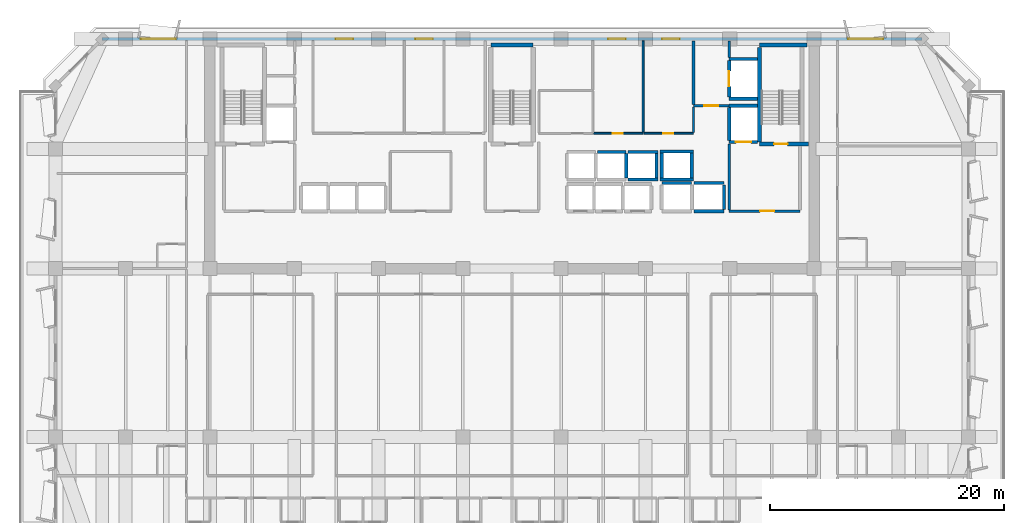
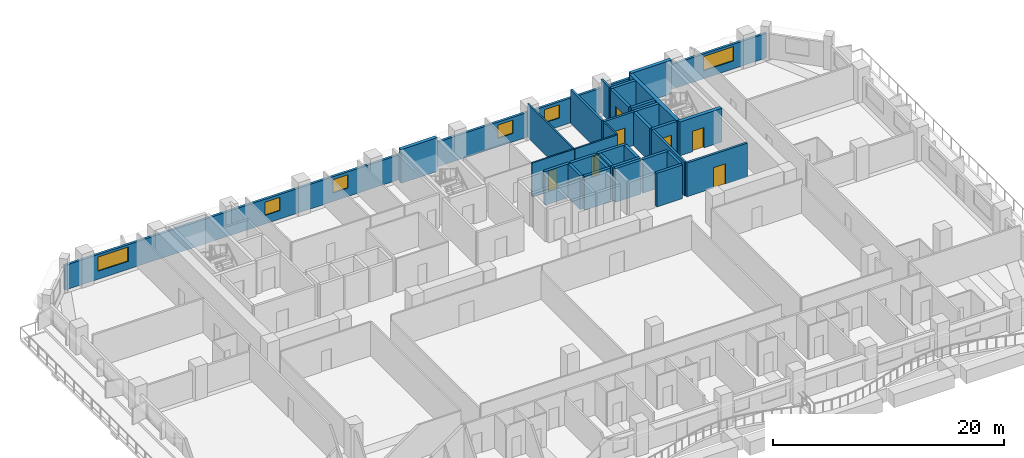
# One storey, part 9 of 16: 33 walls, 7 doors, 6 windows, 13 openings.
"""IFC4 building model written with IfcOpenShell, lengths in metres."""

from ifc_helpers import new_model, si_unit, direction, frame, frame_2d, origin, place, context, subcontext, project, spatial, rectangle, extrude, material, layer, layer_set, type_object, element, fill, save


model = new_model("IFC4")

# Units and contexts
model_context = context("Model", 3, precision=1e-05, world=origin(), true_north=direction((0.0, 1.0)))
body_context = subcontext(model_context, "Body", "Model", "MODEL_VIEW")
ifc_project = project(units=[si_unit("LENGTHUNIT", "METRE"), si_unit("AREAUNIT", "SQUARE_METRE"), si_unit("VOLUMEUNIT", "CUBIC_METRE"), si_unit("PLANEANGLEUNIT", "RADIAN"), si_unit("MASSUNIT", "GRAM", prefix="KILO")], contexts=[model_context])

# Site, building, storey
site_placement = place(None, origin())
site = spatial("IfcSite", under=ifc_project, at=site_placement, CompositionType="ELEMENT")
building_placement = place(site_placement, origin())
building = spatial("IfcBuilding", under=site, at=building_placement, Name="Kaelvorn Grand Hotel", CompositionType="ELEMENT")
storey_placement = place(building_placement, frame((0.0, 0.0, 135.35009765625)))
storey = spatial("IfcBuildingStorey", under=building, at=storey_placement, Name="L32", CompositionType="ELEMENT", Elevation=135.35009765625)

# Wall, openings, windows
ifc_material_1 = material(Name="Concrete C40/50", Category="concrete")
ifc_layer_1 = layer(ifc_material_1, 0.239990234375)
ifc_layer_set_1 = layer_set([ifc_layer_1], Name="Concrete C40/50")
wall_type_1 = type_object("IfcWallType", Name="WL-EXT-240-C40", PredefinedType="SOLIDWALL", material=ifc_layer_set_1)
wall_1_placement = place(storey_placement, frame((77.0, 49.0, 0.0), z_axis=(0.0, 0.0, 1.0), x_axis=(-1.0, 0.0, 0.0)))
wall_1 = element("IfcWall", 1, at=wall_1_placement, inside=storey, type_object=wall_type_1, Name="L32 Exterior Architectural Concrete Wall 05", PredefinedType="SOLIDWALL", context=body_context, shape_type="SweptSolid", body=[
    extrude(rectangle(XDim=70.0, YDim=0.239990234375, at=frame_2d((35.0, 0.0))), origin(), (0.0, 0.0, 1.0), 2.60986328125),
])
opening_1_placement = place(wall_1_placement, frame((63.699951171875, 0.0, 0.85009765625)))
opening_1 = element("IfcOpeningElement", 2, at=opening_1_placement, cuts=wall_1, Name="Opening W5", PredefinedType="OPENING", context=body_context, shape_type="SweptSolid", body=[
    extrude(rectangle(XDim=3.0, YDim=1.5, at=frame_2d((1.5, 0.75))), frame((0.0, 0.1298828125, 0.0), z_axis=(0.0, -1.0, 0.0), x_axis=(1.0, 0.0, 0.0)), (0.0, 0.0, 1.0), 0.260009765625),
])
opening_2_placement = place(wall_1_placement, frame((3.300048828125, 0.0, 0.85009765625)))
opening_2 = element("IfcOpeningElement", 3, at=opening_2_placement, cuts=wall_1, Name="Opening W5", PredefinedType="OPENING", context=body_context, shape_type="SweptSolid", body=[
    extrude(rectangle(XDim=3.0, YDim=1.5, at=frame_2d((1.5, 0.75))), frame((0.0, 0.1298828125, 0.0), z_axis=(0.0, -1.0, 0.0), x_axis=(1.0, 0.0, 0.0)), (0.0, 0.0, 1.0), 0.260009765625),
])
opening_3_placement = place(wall_1_placement, frame((48.56494140625, 0.0, 0.89990234375)))
opening_3 = element("IfcOpeningElement", 4, at=opening_3_placement, cuts=wall_1, Name="Opening W10", PredefinedType="OPENING", context=body_context, shape_type="SweptSolid", body=[
    extrude(rectangle(XDim=1.5, YDim=1.39990234375, at=frame_2d((0.75, 0.699951171875))), frame((0.0, 0.1298828125, 0.0), z_axis=(0.0, -1.0, 0.0), x_axis=(1.0, 0.0, 0.0)), (0.0, 0.0, 1.0), 0.260009765625),
])
opening_4_placement = place(wall_1_placement, frame((41.75, 0.0, 0.89990234375)))
opening_4 = element("IfcOpeningElement", 5, at=opening_4_placement, cuts=wall_1, Name="Opening W10", PredefinedType="OPENING", context=body_context, shape_type="SweptSolid", body=[
    extrude(rectangle(XDim=1.5, YDim=1.39990234375, at=frame_2d((0.75, 0.699951171875))), frame((0.0, 0.1298828125, 0.0), z_axis=(0.0, -1.0, 0.0), x_axis=(1.0, 0.0, 0.0)), (0.0, 0.0, 1.0), 0.260009765625),
])
opening_5_placement = place(wall_1_placement, frame((25.300048828125, 0.0, 0.89990234375)))
opening_5 = element("IfcOpeningElement", 6, at=opening_5_placement, cuts=wall_1, Name="Opening W10", PredefinedType="OPENING", context=body_context, shape_type="SweptSolid", body=[
    extrude(rectangle(XDim=1.5, YDim=1.39990234375, at=frame_2d((0.75, 0.699951171875))), frame((0.0, 0.1298828125, 0.0), z_axis=(0.0, -1.0, 0.0), x_axis=(1.0, 0.0, 0.0)), (0.0, 0.0, 1.0), 0.260009765625),
])
opening_6_placement = place(wall_1_placement, frame((20.68505859375, 0.0, 0.89990234375)))
opening_6 = element("IfcOpeningElement", 7, at=opening_6_placement, cuts=wall_1, Name="Opening W10", PredefinedType="OPENING", context=body_context, shape_type="SweptSolid", body=[
    extrude(rectangle(XDim=1.5, YDim=1.39990234375, at=frame_2d((0.75, 0.699951171875))), frame((0.0, 0.1298828125, 0.0), z_axis=(0.0, -1.0, 0.0), x_axis=(1.0, 0.0, 0.0)), (0.0, 0.0, 1.0), 0.260009765625),
])
ifc_material_2 = material(Name="Laminated Low-E Glass", Category="glass")
window_type_1 = type_object("IfcWindowType", Name="WIN-COR-1500x1400", PartitioningType="SINGLE_PANEL", PredefinedType="WINDOW", material=ifc_material_2)
window_1_placement = place(opening_3_placement, origin())
window_1 = element("IfcWindow", 8, at=window_1_placement, inside=storey, type_object=window_type_1, Name="L32 North Core Clerestory Ribbon Window NC03", OverallHeight=1.39990234375, OverallWidth=1.5, PartitioningType="SINGLE_PANEL", PredefinedType="WINDOW", context=body_context, shape_type="SweptSolid", body=[
    extrude(rectangle(XDim=1.5, YDim=1.39990234375, at=frame_2d((0.75, 0.699951171875))), frame((0.0, 0.030029296875, 0.0), z_axis=(0.0, -1.0, 0.0), x_axis=(1.0, 0.0, 0.0)), (0.0, 0.0, 1.0), 0.06005859375),
])
fill(opening_3, window_1)
window_2_placement = place(opening_4_placement, origin())
window_2 = element("IfcWindow", 9, at=window_2_placement, inside=storey, type_object=window_type_1, Name="L32 North Core Clerestory Ribbon Window NC04", OverallHeight=1.39990234375, OverallWidth=1.5, PartitioningType="SINGLE_PANEL", PredefinedType="WINDOW", context=body_context, shape_type="SweptSolid", body=[
    extrude(rectangle(XDim=1.5, YDim=1.39990234375, at=frame_2d((0.75, 0.699951171875))), frame((0.0, 0.030029296875, 0.0), z_axis=(0.0, -1.0, 0.0), x_axis=(1.0, 0.0, 0.0)), (0.0, 0.0, 1.0), 0.06005859375),
])
fill(opening_4, window_2)
window_3_placement = place(opening_5_placement, origin())
window_3 = element("IfcWindow", 10, at=window_3_placement, inside=storey, type_object=window_type_1, Name="L32 North Core Clerestory Ribbon Window NC05", OverallHeight=1.39990234375, OverallWidth=1.5, PartitioningType="SINGLE_PANEL", PredefinedType="WINDOW", context=body_context, shape_type="SweptSolid", body=[
    extrude(rectangle(XDim=1.5, YDim=1.39990234375, at=frame_2d((0.75, 0.699951171875))), frame((0.0, 0.030029296875, 0.0), z_axis=(0.0, -1.0, 0.0), x_axis=(1.0, 0.0, 0.0)), (0.0, 0.0, 1.0), 0.06005859375),
])
fill(opening_5, window_3)
window_4_placement = place(opening_6_placement, origin())
window_4 = element("IfcWindow", 11, at=window_4_placement, inside=storey, type_object=window_type_1, Name="L32 North Core Clerestory Ribbon Window NC06", OverallHeight=1.39990234375, OverallWidth=1.5, PartitioningType="SINGLE_PANEL", PredefinedType="WINDOW", context=body_context, shape_type="SweptSolid", body=[
    extrude(rectangle(XDim=1.5, YDim=1.39990234375, at=frame_2d((0.75, 0.699951171875))), frame((0.0, 0.030029296875, 0.0), z_axis=(0.0, -1.0, 0.0), x_axis=(1.0, 0.0, 0.0)), (0.0, 0.0, 1.0), 0.06005859375),
])
fill(opening_6, window_4)
window_type_2 = type_object("IfcWindowType", Name="WIN-NTH-3000x1500", PartitioningType="SINGLE_PANEL", PredefinedType="WINDOW", material=ifc_material_2)
window_5_placement = place(opening_1_placement, origin())
window_5 = element("IfcWindow", 12, at=window_5_placement, inside=storey, type_object=window_type_2, Name="L32 North Wing Ribbon Window NW01", OverallHeight=1.5, OverallWidth=3.0, PartitioningType="SINGLE_PANEL", PredefinedType="WINDOW", context=body_context, shape_type="SweptSolid", body=[
    extrude(rectangle(XDim=3.0, YDim=1.5, at=frame_2d((1.5, 0.75))), frame((0.0, 0.030029296875, 0.0), z_axis=(0.0, -1.0, 0.0), x_axis=(1.0, 0.0, 0.0)), (0.0, 0.0, 1.0), 0.06005859375),
])
fill(opening_1, window_5)
window_6_placement = place(opening_2_placement, origin())
window_6 = element("IfcWindow", 13, at=window_6_placement, inside=storey, type_object=window_type_2, Name="L32 North Wing Ribbon Window NW02", OverallHeight=1.5, OverallWidth=3.0, PartitioningType="SINGLE_PANEL", PredefinedType="WINDOW", context=body_context, shape_type="SweptSolid", body=[
    extrude(rectangle(XDim=3.0, YDim=1.5, at=frame_2d((1.5, 0.75))), frame((0.0, 0.030029296875, 0.0), z_axis=(0.0, -1.0, 0.0), x_axis=(1.0, 0.0, 0.0)), (0.0, 0.0, 1.0), 0.06005859375),
])
fill(opening_2, window_6)

# Wall, opening, door
ifc_material_3 = material(Name="Acoustic Gypsum & Stud Partition")
ifc_layer_2 = layer(ifc_material_3, 0.14990234375)
ifc_layer_set_2 = layer_set([ifc_layer_2], Name="Acoustic Gypsum & Stud Partition")
wall_type_2 = type_object("IfcWallType", Name="WL-PART-150-EI60", PredefinedType="PARTITIONING", material=ifc_layer_set_2)
wall_2_placement = place(storey_placement, frame((48.967529296875, 40.949951171875, 0.0), z_axis=(0.0, 0.0, 1.0), x_axis=(1.0, 0.0, 0.0)))
wall_2 = element("IfcWall", 14, at=wall_2_placement, inside=storey, type_object=wall_type_2, Name="L32 Minibar & Glassware Store S Partition", PredefinedType="PARTITIONING", context=body_context, shape_type="SweptSolid", body=[
    extrude(rectangle(XDim=4.232421875, YDim=0.14990234375, at=frame_2d((2.1162109375, 0.0))), origin(), (0.0, 0.0, 1.0), 3.559814453125),
])
opening_7_placement = place(wall_2_placement, frame((1.657470703125, 0.0, 0.0)))
opening_7 = element("IfcOpeningElement", 15, at=opening_7_placement, cuts=wall_2, Name="Opening DI7", PredefinedType="OPENING", context=body_context, shape_type="SweptSolid", body=[
    extrude(rectangle(XDim=0.85009765625, YDim=2.10009765625, at=frame_2d((0.425048828125, 1.050048828125))), frame((0.0, 0.0849609375, 0.0), z_axis=(0.0, -1.0, 0.0), x_axis=(1.0, 0.0, 0.0)), (0.0, 0.0, 1.0), 0.169921875),
])
ifc_material_4 = material(Name="Powder-Coated Steel Leaf", Category="steel")
door_type_1 = type_object("IfcDoorType", Name="DR-INT-RISER-850x2100", OperationType="NOTDEFINED", PredefinedType="DOOR", material=ifc_material_4)
door_1_placement = place(opening_7_placement, origin())
door_1 = element("IfcDoor", 16, at=door_1_placement, inside=storey, type_object=door_type_1, Name="L32 Minibar & Glassware Store Door", OperationType="SINGLE_SWING_LEFT", OverallHeight=2.10009765625, OverallWidth=0.85009765625, PredefinedType="DOOR", context=body_context, shape_type="SweptSolid", body=[
    extrude(rectangle(XDim=0.85009765625, YDim=2.10009765625, at=frame_2d((0.425048828125, 1.050048828125))), frame((0.0, 0.02490234375, 0.0), z_axis=(0.0, -1.0, 0.0), x_axis=(1.0, 0.0, 0.0)), (0.0, 0.0, 1.0), 0.050048828125),
])
fill(opening_7, door_1)

# Wall
wall_3_placement = place(storey_placement, frame((53.199951171875, 41.030029296875, 0.0), z_axis=(0.0, 0.0, 1.0), x_axis=(0.0, 1.0, 0.0)))
element("IfcWall", 17, at=wall_3_placement, inside=storey, type_object=wall_type_2, Name="L32 Minibar & Glassware Store E Partition", PredefinedType="PARTITIONING", context=body_context, shape_type="SweptSolid", body=[
    extrude(rectangle(XDim=7.820068359375, YDim=0.14990234375, at=frame_2d((3.91015625, 0.0))), origin(), (0.0, 0.0, 1.0), 3.559814453125),
])

# Wall, opening, door
wall_4_placement = place(storey_placement, frame((53.280029296875, 40.949951171875, 0.0), z_axis=(0.0, 0.0, 1.0), x_axis=(1.0, 0.0, 0.0)))
wall_4 = element("IfcWall", 18, at=wall_4_placement, inside=storey, type_object=wall_type_2, Name="L32 Floor IT & Comms Room S Partition", PredefinedType="PARTITIONING", context=body_context, shape_type="SweptSolid", body=[
    extrude(rectangle(XDim=4.219970703125, YDim=0.14990234375, at=frame_2d((2.10986328125, 0.0))), origin(), (0.0, 0.0, 1.0), 3.559814453125),
])
opening_8_placement = place(wall_4_placement, frame((1.64501953125, 0.0, 0.0)))
opening_8 = element("IfcOpeningElement", 19, at=opening_8_placement, cuts=wall_4, Name="Opening DI7", PredefinedType="OPENING", context=body_context, shape_type="SweptSolid", body=[
    extrude(rectangle(XDim=0.85009765625, YDim=2.10009765625, at=frame_2d((0.425048828125, 1.050048828125))), frame((0.0, 0.0849609375, 0.0), z_axis=(0.0, -1.0, 0.0), x_axis=(1.0, 0.0, 0.0)), (0.0, 0.0, 1.0), 0.169921875),
])
door_2_placement = place(opening_8_placement, origin())
door_2 = element("IfcDoor", 20, at=door_2_placement, inside=storey, type_object=door_type_1, Name="L32 Floor IT & Comms Room Door", OperationType="SINGLE_SWING_RIGHT", OverallHeight=2.10009765625, OverallWidth=0.85009765625, PredefinedType="DOOR", context=body_context, shape_type="SweptSolid", body=[
    extrude(rectangle(XDim=0.85009765625, YDim=2.10009765625, at=frame_2d((0.425048828125, 1.050048828125))), frame((0.0, 0.02490234375, 0.0), z_axis=(0.0, -1.0, 0.0), x_axis=(1.0, 0.0, 0.0)), (0.0, 0.0, 1.0), 0.050048828125),
])
fill(opening_8, door_2)

# Wall
wall_5_placement = place(storey_placement, frame((57.5, 41.030029296875, 0.0), z_axis=(0.0, 0.0, 1.0), x_axis=(0.0, 1.0, 0.0)))
element("IfcWall", 21, at=wall_5_placement, inside=storey, type_object=wall_type_2, Name="L32 Floor IT & Comms Room E Partition", PredefinedType="PARTITIONING", context=body_context, shape_type="SweptSolid", body=[
    extrude(rectangle(XDim=2.155029296875, YDim=0.14990234375, at=frame_2d((1.07763671875, 0.0))), origin(), (0.0, 0.0, 1.0), 3.559814453125),
])

# Wall, opening, door
ifc_layer_3 = layer(ifc_material_1, 0.219970703125)
ifc_layer_set_3 = layer_set([ifc_layer_3], Name="Concrete C40/50")
wall_type_3 = type_object("IfcWallType", Name="WL-PART-220-EI120", PredefinedType="PARTITIONING", material=ifc_layer_set_3)
wall_6_placement = place(storey_placement, frame((60.550048828125, 34.300048828125, 0.0), z_axis=(0.0, 0.0, 1.0), x_axis=(1.0, 0.0, 0.0)))
wall_6 = element("IfcWall", 22, at=wall_6_placement, inside=storey, type_object=wall_type_3, Name="L32 Firefighting Lift Lobby 2 S Partition", PredefinedType="PARTITIONING", context=body_context, shape_type="SweptSolid", body=[
    extrude(rectangle(XDim=6.050048828125, YDim=0.219970703125, at=frame_2d((3.02490234375, 0.0))), origin(), (0.0, 0.0, 1.0), 3.559814453125),
])
opening_9_placement = place(wall_6_placement, frame((2.64990234375, 0.0, 0.0)))
opening_9 = element("IfcOpeningElement", 23, at=opening_9_placement, cuts=wall_6, Name="Opening DI2", PredefinedType="OPENING", context=body_context, shape_type="SweptSolid", body=[
    extrude(rectangle(XDim=1.199951171875, YDim=2.14990234375, at=frame_2d((0.60009765625, 1.074951171875))), frame((0.0, 0.1201171875, 0.0), z_axis=(0.0, -1.0, 0.0), x_axis=(1.0, 0.0, 0.0)), (0.0, 0.0, 1.0), 0.239990234375),
])
ifc_material_5 = material(Name="Timber Veneer Fire Leaf", Category="wood")
door_type_2 = type_object("IfcDoorType", Name="DR-INT-FFLOB-1200x2150", OperationType="NOTDEFINED", PredefinedType="DOOR", material=ifc_material_5)
door_3_placement = place(opening_9_placement, origin())
door_3 = element("IfcDoor", 24, at=door_3_placement, inside=storey, type_object=door_type_2, Name="L32 Firefighting Lift Lobby 2 Door", OperationType="SINGLE_SWING_LEFT", OverallHeight=2.14990234375, OverallWidth=1.199951171875, PredefinedType="DOOR", context=body_context, shape_type="SweptSolid", body=[
    extrude(rectangle(XDim=1.199951171875, YDim=2.14990234375, at=frame_2d((0.60009765625, 1.074951171875))), frame((0.0, 0.02490234375, 0.0), z_axis=(0.0, -1.0, 0.0), x_axis=(1.0, 0.0, 0.0)), (0.0, 0.0, 1.0), 0.050048828125),
])
fill(opening_9, door_3)

# Wall
wall_7_placement = place(storey_placement, frame((60.550048828125, 34.4150390625, 0.0), z_axis=(0.0, 0.0, 1.0), x_axis=(0.0, 1.0, 0.0)))
element("IfcWall", 25, at=wall_7_placement, inside=storey, type_object=wall_type_3, Name="L32 Firefighting Lift Lobby 2 W Partition", PredefinedType="PARTITIONING", context=body_context, shape_type="SweptSolid", body=[
    extrude(rectangle(XDim=5.639892578125, YDim=0.219970703125, at=frame_2d((2.81982421875, 0.0))), origin(), (0.0, 0.0, 1.0), 3.559814453125),
])

# Wall, opening, door
wall_8_placement = place(storey_placement, frame((57.5, 43.300048828125, 0.0), z_axis=(0.0, 0.0, 1.0), x_axis=(1.0, 0.0, 0.0)))
wall_8 = element("IfcWall", 26, at=wall_8_placement, inside=storey, type_object=wall_type_3, Name="L32 Service Lift Lobby S Partition", PredefinedType="PARTITIONING", context=body_context, shape_type="SweptSolid", body=[
    extrude(rectangle(XDim=3.0400390625, YDim=0.219970703125, at=frame_2d((1.52001953125, 0.0))), origin(), (0.0, 0.0, 1.0), 3.559814453125),
])
opening_10_placement = place(wall_8_placement, frame((0.89990234375, 0.0, 0.0)))
opening_10 = element("IfcOpeningElement", 27, at=opening_10_placement, cuts=wall_8, Name="Opening DI2", PredefinedType="OPENING", context=body_context, shape_type="SweptSolid", body=[
    extrude(rectangle(XDim=1.199951171875, YDim=2.14990234375, at=frame_2d((0.60009765625, 1.074951171875))), frame((0.0, 0.1201171875, 0.0), z_axis=(0.0, -1.0, 0.0), x_axis=(1.0, 0.0, 0.0)), (0.0, 0.0, 1.0), 0.239990234375),
])
door_4_placement = place(opening_10_placement, origin())
door_4 = element("IfcDoor", 28, at=door_4_placement, inside=storey, type_object=door_type_2, Name="L32 Service Lift Lobby Door", OperationType="SINGLE_SWING_LEFT", OverallHeight=2.14990234375, OverallWidth=1.199951171875, PredefinedType="DOOR", context=body_context, shape_type="SweptSolid", body=[
    extrude(rectangle(XDim=1.199951171875, YDim=2.14990234375, at=frame_2d((0.60009765625, 1.074951171875))), frame((0.0, 0.02490234375, 0.0), z_axis=(0.0, -1.0, 0.0), x_axis=(1.0, 0.0, 0.0)), (0.0, 0.0, 1.0), 0.050048828125),
])
fill(opening_10, door_4)

# Walls
wall_9_placement = place(storey_placement, frame((57.5, 43.4150390625, 0.0), z_axis=(0.0, 0.0, 1.0), x_axis=(0.0, 1.0, 0.0)))
element("IfcWall", 29, at=wall_9_placement, inside=storey, type_object=wall_type_3, Name="L32 Service Lift Lobby W Partition", PredefinedType="PARTITIONING", context=body_context, shape_type="SweptSolid", body=[
    extrude(rectangle(XDim=5.43505859375, YDim=0.219970703125, at=frame_2d((2.717529296875, 0.0))), origin(), (0.0, 0.0, 1.0), 3.559814453125),
])
wall_10_placement = place(storey_placement, frame((60.550048828125, 47.445068359375, 0.0), z_axis=(0.0, 0.0, 1.0), x_axis=(0.0, 1.0, 0.0)))
element("IfcWall", 30, at=wall_10_placement, inside=storey, type_object=wall_type_3, Name="L32 Service Lift Lobby E Partition", PredefinedType="PARTITIONING", context=body_context, shape_type="SweptSolid", body=[
    extrude(rectangle(XDim=1.405029296875, YDim=0.219970703125, at=frame_2d((0.70263671875, 0.0))), origin(), (0.0, 0.0, 1.0), 3.559814453125),
])
ifc_material_6 = material(Name="Concrete C50/60", Category="concrete")
ifc_layer_4 = layer(ifc_material_6, 0.280029296875)
ifc_layer_set_4 = layer_set([ifc_layer_4], Name="Concrete C50/60")
wall_type_4 = type_object("IfcWallType", Name="WL-SHAFT-280-C50", PredefinedType="SHEAR", material=ifc_layer_set_4)
wall_11_placement = place(storey_placement, frame((49.300048828125, 39.35009765625, 0.0), z_axis=(0.0, 0.0, 1.0), x_axis=(1.0, 0.0, 0.0)))
element("IfcWall", 31, at=wall_11_placement, inside=storey, type_object=wall_type_4, Name="L32 Lift SL-2 Shaft North Wall", PredefinedType="SHEAR", context=body_context, shape_type="SweptSolid", body=[
    extrude(rectangle(XDim=2.449951171875, YDim=0.280029296875, at=frame_2d((1.22509765625, 0.0))), origin(), (0.0, 0.0, 1.0), 3.559814453125),
])
wall_12_placement = place(storey_placement, frame((51.75, 37.14501953125, 0.0), z_axis=(0.0, 0.0, 1.0), x_axis=(0.0, 1.0, 0.0)))
element("IfcWall", 32, at=wall_12_placement, inside=storey, type_object=wall_type_4, Name="L32 Lift SL-2 Shaft East Wall", PredefinedType="SHEAR", context=body_context, shape_type="SweptSolid", body=[
    extrude(rectangle(XDim=2.06005859375, YDim=0.280029296875, at=frame_2d((1.030029296875, 0.0))), origin(), (0.0, 0.0, 1.0), 3.559814453125),
])
for number, where, z_axis, x_axis, name in (
    (33, (51.89990234375, 37.0, 0.0), (0.0, 0.0, 1.0), (1.0, 0.0, 0.0), "L32 Lift SL-3 Shaft South Wall"),
    (34, (51.89990234375, 39.35009765625, 0.0), (0.0, 0.0, 1.0), (1.0, 0.0, 0.0), "L32 Lift SL-3 Shaft North Wall"),
):
    element("IfcWall", number, at=place(storey_placement, frame(where, z_axis=z_axis, x_axis=x_axis)), inside=storey, type_object=wall_type_4, Name=name, PredefinedType="SHEAR", context=body_context, shape_type="SweptSolid", body=[
        extrude(rectangle(XDim=2.590087890625, YDim=0.280029296875, at=frame_2d((1.294921875, 0.0))), origin(), (0.0, 0.0, 1.0), 3.559814453125),
    ])
wall_13_placement = place(storey_placement, frame((54.35009765625, 37.14501953125, 0.0), z_axis=(0.0, 0.0, 1.0), x_axis=(0.0, 1.0, 0.0)))
element("IfcWall", 35, at=wall_13_placement, inside=storey, type_object=wall_type_4, Name="L32 Lift SL-3 Shaft East Wall", PredefinedType="SHEAR", context=body_context, shape_type="SweptSolid", body=[
    extrude(rectangle(XDim=2.06005859375, YDim=0.280029296875, at=frame_2d((1.030029296875, 0.0))), origin(), (0.0, 0.0, 1.0), 3.559814453125),
])
for number, where, z_axis, x_axis, name in (
    (36, (54.800048828125, 36.699951171875, 0.0), (0.0, 0.0, 1.0), (1.0, 0.0, 0.0), "L32 Lift OL-1 Shaft North Wall"),
    (37, (57.550048828125, 34.300048828125, 0.0), (0.0, 0.0, 1.0), (1.0, 0.0, 0.0), "L32 Lift OL-2 Shaft South Wall"),
    (38, (57.550048828125, 36.699951171875, 0.0), (0.0, 0.0, 1.0), (1.0, 0.0, 0.0), "L32 Lift OL-2 Shaft North Wall"),
):
    element("IfcWall", number, at=place(storey_placement, frame(where, z_axis=z_axis, x_axis=x_axis)), inside=storey, type_object=wall_type_4, Name=name, PredefinedType="SHEAR", context=body_context, shape_type="SweptSolid", body=[
        extrude(rectangle(XDim=2.550048828125, YDim=0.280029296875, at=frame_2d((1.27490234375, 0.0))), origin(), (0.0, 0.0, 1.0), 3.559814453125),
    ])
wall_14_placement = place(storey_placement, frame((60.10009765625, 34.445068359375, 0.0), z_axis=(0.0, 0.0, 1.0), x_axis=(0.0, 1.0, 0.0)))
element("IfcWall", 39, at=wall_14_placement, inside=storey, type_object=wall_type_4, Name="L32 Lift OL-2 Shaft East Wall", PredefinedType="SHEAR", context=body_context, shape_type="SweptSolid", body=[
    extrude(rectangle(XDim=2.10986328125, YDim=0.280029296875, at=frame_2d((1.054931640625, 0.0))), origin(), (0.0, 0.0, 1.0), 3.559814453125),
])
for number, where, z_axis, x_axis, name in (
    (40, (54.659912109375, 37.0, 0.0), (0.0, 0.0, 1.0), (1.0, 0.0, 0.0), "L32 Lift OL-3 Shaft South Wall"),
    (41, (54.659912109375, 39.39990234375, 0.0), (0.0, 0.0, 1.0), (1.0, 0.0, 0.0), "L32 Lift OL-3 Shaft North Wall"),
):
    element("IfcWall", number, at=place(storey_placement, frame(where, z_axis=z_axis, x_axis=x_axis)), inside=storey, type_object=wall_type_4, Name=name, PredefinedType="SHEAR", context=body_context, shape_type="SweptSolid", body=[
        extrude(rectangle(XDim=2.830078125, YDim=0.280029296875, at=frame_2d((1.4150390625, 0.0))), origin(), (0.0, 0.0, 1.0), 3.559814453125),
    ])
for number, where, z_axis, x_axis, name in (
    (42, (54.800048828125, 37.14501953125, 0.0), (0.0, 0.0, 1.0), (0.0, 1.0, 0.0), "L32 Lift OL-3 Shaft West Wall"),
    (43, (57.35009765625, 37.14501953125, 0.0), (0.0, 0.0, 1.0), (0.0, 1.0, 0.0), "L32 Lift OL-3 Shaft East Wall"),
):
    element("IfcWall", number, at=place(storey_placement, frame(where, z_axis=z_axis, x_axis=x_axis)), inside=storey, type_object=wall_type_4, Name=name, PredefinedType="SHEAR", context=body_context, shape_type="SweptSolid", body=[
        extrude(rectangle(XDim=2.10986328125, YDim=0.280029296875, at=frame_2d((1.054931640625, 0.0))), origin(), (0.0, 0.0, 1.0), 3.559814453125),
    ])

# Wall, opening, door
wall_15_placement = place(storey_placement, frame((60.550048828125, 40.199951171875, 0.0), z_axis=(0.0, 0.0, 1.0), x_axis=(1.0, 0.0, 0.0)))
wall_15 = element("IfcWall", 44, at=wall_15_placement, inside=storey, type_object=wall_type_4, Name="L32 Lift FFL2 Shaft South Wall", PredefinedType="SHEAR", context=body_context, shape_type="SweptSolid", body=[
    extrude(rectangle(XDim=2.4150390625, YDim=0.280029296875, at=frame_2d((1.20751953125, 0.0))), origin(), (0.0, 0.0, 1.0), 3.559814453125),
])
opening_11_placement = place(wall_15_placement, frame((0.574951171875, 0.0, 0.0)))
opening_11 = element("IfcOpeningElement", 45, at=opening_11_placement, cuts=wall_15, Name="Opening LD-FFL2", PredefinedType="OPENING", context=body_context, shape_type="SweptSolid", body=[
    extrude(rectangle(XDim=1.300048828125, YDim=2.300048828125, at=frame_2d((0.64990234375, 1.14990234375))), frame((0.0, 0.14990234375, 0.0), z_axis=(0.0, -1.0, 0.0), x_axis=(1.0, 0.0, 0.0)), (0.0, 0.0, 1.0), 0.300048828125),
])
ifc_material_7 = material(Name="Stainless Steel", Category="steel")
door_type_3 = type_object("IfcDoorType", Name="DR-LIFT-SERV-1300x2300", OperationType="DOUBLE_DOOR_SLIDING", PredefinedType="DOOR", material=ifc_material_7)
door_5_placement = place(opening_11_placement, origin())
door_5 = element("IfcDoor", 46, at=door_5_placement, inside=storey, type_object=door_type_3, Name="L32 Lift FFL2 Sliding Landing Door LD-FFL2", OperationType="DOUBLE_DOOR_SLIDING", OverallHeight=2.300048828125, OverallWidth=1.300048828125, PredefinedType="DOOR", context=body_context, shape_type="SweptSolid", body=[
    extrude(rectangle(XDim=1.300048828125, YDim=2.300048828125, at=frame_2d((0.64990234375, 1.14990234375))), frame((0.0, 0.02490234375, 0.0), z_axis=(0.0, -1.0, 0.0), x_axis=(1.0, 0.0, 0.0)), (0.0, 0.0, 1.0), 0.050048828125),
])
fill(opening_11, door_5)

# Walls
wall_16_placement = place(storey_placement, frame((60.550048828125, 43.300048828125, 0.0), z_axis=(0.0, 0.0, 1.0), x_axis=(1.0, 0.0, 0.0)))
element("IfcWall", 47, at=wall_16_placement, inside=storey, type_object=wall_type_4, Name="L32 Lift FFL2 Shaft North Wall", PredefinedType="SHEAR", context=body_context, shape_type="SweptSolid", body=[
    extrude(rectangle(XDim=2.4150390625, YDim=0.280029296875, at=frame_2d((1.20751953125, 0.0))), origin(), (0.0, 0.0, 1.0), 3.559814453125),
])
wall_17_placement = place(storey_placement, frame((60.550048828125, 40.344970703125, 0.0), z_axis=(0.0, 0.0, 1.0), x_axis=(0.0, 1.0, 0.0)))
element("IfcWall", 48, at=wall_17_placement, inside=storey, type_object=wall_type_4, Name="L32 Lift FFL2 Shaft West Wall", PredefinedType="SHEAR", context=body_context, shape_type="SweptSolid", body=[
    extrude(rectangle(XDim=2.81005859375, YDim=0.280029296875, at=frame_2d((1.405029296875, 0.0))), origin(), (0.0, 0.0, 1.0), 3.559814453125),
])
for number, where, z_axis, x_axis, name in (
    (49, (60.550048828125, 43.89990234375, 0.0), (0.0, 0.0, 1.0), (1.0, 0.0, 0.0), "L32 Lift SV1 Shaft South Wall"),
    (50, (60.550048828125, 47.300048828125, 0.0), (0.0, 0.0, 1.0), (1.0, 0.0, 0.0), "L32 Lift SV1 Shaft North Wall"),
):
    element("IfcWall", number, at=place(storey_placement, frame(where, z_axis=z_axis, x_axis=x_axis)), inside=storey, type_object=wall_type_4, Name=name, PredefinedType="SHEAR", context=body_context, shape_type="SweptSolid", body=[
        extrude(rectangle(XDim=2.4150390625, YDim=0.280029296875, at=frame_2d((1.20751953125, 0.0))), origin(), (0.0, 0.0, 1.0), 3.559814453125),
    ])

# Wall, opening, door
wall_18_placement = place(storey_placement, frame((60.550048828125, 44.044921875, 0.0), z_axis=(0.0, 0.0, 1.0), x_axis=(0.0, 1.0, 0.0)))
wall_18 = element("IfcWall", 51, at=wall_18_placement, inside=storey, type_object=wall_type_4, Name="L32 Lift SV1 Shaft West Wall", PredefinedType="SHEAR", context=body_context, shape_type="SweptSolid", body=[
    extrude(rectangle(XDim=3.110107421875, YDim=0.280029296875, at=frame_2d((1.55517578125, 0.0))), origin(), (0.0, 0.0, 1.0), 3.559814453125),
])
opening_12_placement = place(wall_18_placement, frame((0.905029296875, 0.0, 0.0)))
opening_12 = element("IfcOpeningElement", 52, at=opening_12_placement, cuts=wall_18, Name="Opening LD-SV1", PredefinedType="OPENING", context=body_context, shape_type="SweptSolid", body=[
    extrude(rectangle(XDim=1.300048828125, YDim=2.300048828125, at=frame_2d((0.64990234375, 1.14990234375))), frame((0.0, 0.14990234375, 0.0), z_axis=(0.0, -1.0, 0.0), x_axis=(1.0, 0.0, 0.0)), (0.0, 0.0, 1.0), 0.300048828125),
])
door_6_placement = place(opening_12_placement, origin())
door_6 = element("IfcDoor", 53, at=door_6_placement, inside=storey, type_object=door_type_3, Name="L32 Lift SV1 Sliding Landing Door LD-SV1", OperationType="DOUBLE_DOOR_SLIDING", OverallHeight=2.300048828125, OverallWidth=1.300048828125, PredefinedType="DOOR", context=body_context, shape_type="SweptSolid", body=[
    extrude(rectangle(XDim=1.300048828125, YDim=2.300048828125, at=frame_2d((0.64990234375, 1.14990234375))), frame((0.0, 0.02490234375, 0.0), z_axis=(0.0, -1.0, 0.0), x_axis=(1.0, 0.0, 0.0)), (0.0, 0.0, 1.0), 0.050048828125),
])
fill(opening_12, door_6)

# Wall
ifc_material_8 = material(Name="Concrete C60/75", Category="concrete")
ifc_layer_5 = layer(ifc_material_8, 0.35009765625)
ifc_layer_set_5 = layer_set([ifc_layer_5], Name="Concrete C60/75")
wall_type_5 = type_object("IfcWallType", Name="WL-SHAFT-350-C60", PredefinedType="SHEAR", material=ifc_layer_set_5)
wall_19_placement = place(storey_placement, frame((40.18505859375, 48.47509765625, 0.0), z_axis=(0.0, 0.0, 1.0), x_axis=(1.0, 0.0, 0.0)))
element("IfcWall", 54, at=wall_19_placement, inside=storey, type_object=wall_type_5, Name="L32 ST2 Stair Shaft North Wall", PredefinedType="SHEAR", context=body_context, shape_type="SweptSolid", body=[
    extrude(rectangle(XDim=3.6298828125, YDim=0.35009765625, at=frame_2d((1.81494140625, 0.0))), origin(), (0.0, 0.0, 1.0), 3.559814453125),
])

# Wall, opening, door
wall_20_placement = place(storey_placement, frame((63.14501953125, 40.02490234375, 0.0), z_axis=(0.0, 0.0, 1.0), x_axis=(1.0, 0.0, 0.0)))
wall_20 = element("IfcWall", 55, at=wall_20_placement, inside=storey, type_object=wall_type_5, Name="L32 ST3 Stair Shaft South Wall", PredefinedType="SHEAR", context=body_context, shape_type="SweptSolid", body=[
    extrude(rectangle(XDim=4.199951171875, YDim=0.35009765625, at=frame_2d((2.10009765625, 0.0))), origin(), (0.0, 0.0, 1.0), 3.559814453125),
])
opening_13_placement = place(wall_20_placement, frame((1.239990234375, 0.0, 0.0)))
opening_13 = element("IfcOpeningElement", 56, at=opening_13_placement, cuts=wall_20, Name="Opening DI1", PredefinedType="OPENING", context=body_context, shape_type="SweptSolid", body=[
    extrude(rectangle(XDim=1.14990234375, YDim=2.14990234375, at=frame_2d((0.574951171875, 1.074951171875))), frame((0.0, 0.18505859375, 0.0), z_axis=(0.0, -1.0, 0.0), x_axis=(1.0, 0.0, 0.0)), (0.0, 0.0, 1.0), 0.3701171875),
])
door_type_4 = type_object("IfcDoorType", Name="DR-INT-STAIR-1150x2150", OperationType="NOTDEFINED", PredefinedType="DOOR", material=ifc_material_5)
door_7_placement = place(opening_13_placement, origin())
door_7 = element("IfcDoor", 57, at=door_7_placement, inside=storey, type_object=door_type_4, Name="L32 ST3 Exit Stair Fire Door", OperationType="SINGLE_SWING_LEFT", OverallHeight=2.14990234375, OverallWidth=1.14990234375, PredefinedType="DOOR", context=body_context, shape_type="SweptSolid", body=[
    extrude(rectangle(XDim=1.14990234375, YDim=2.14990234375, at=frame_2d((0.574951171875, 1.074951171875))), frame((0.0, 0.02490234375, 0.0), z_axis=(0.0, -1.0, 0.0), x_axis=(1.0, 0.0, 0.0)), (0.0, 0.0, 1.0), 0.050048828125),
])
fill(opening_13, door_7)

# Walls
wall_21_placement = place(storey_placement, frame((63.14501953125, 48.47509765625, 0.0), z_axis=(0.0, 0.0, 1.0), x_axis=(1.0, 0.0, 0.0)))
element("IfcWall", 58, at=wall_21_placement, inside=storey, type_object=wall_type_5, Name="L32 ST3 Stair Shaft North Wall", PredefinedType="SHEAR", context=body_context, shape_type="SweptSolid", body=[
    extrude(rectangle(XDim=4.050048828125, YDim=0.35009765625, at=frame_2d((2.02490234375, 0.0))), origin(), (0.0, 0.0, 1.0), 3.559814453125),
])
wall_22_placement = place(storey_placement, frame((63.14501953125, 40.205078125, 0.0), z_axis=(0.0, 0.0, 1.0), x_axis=(0.0, 1.0, 0.0)))
element("IfcWall", 59, at=wall_22_placement, inside=storey, type_object=wall_type_5, Name="L32 ST3 Stair Shaft West Wall", PredefinedType="SHEAR", context=body_context, shape_type="SweptSolid", body=[
    extrude(rectangle(XDim=8.08984375, YDim=0.35009765625, at=frame_2d((4.044921875, 0.0))), origin(), (0.0, 0.0, 1.0), 3.559814453125),
])

save(model, "model.ifc")
